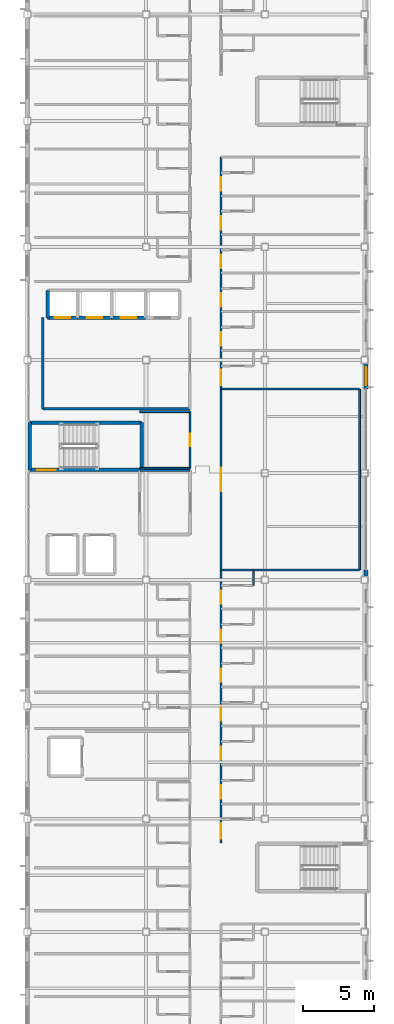
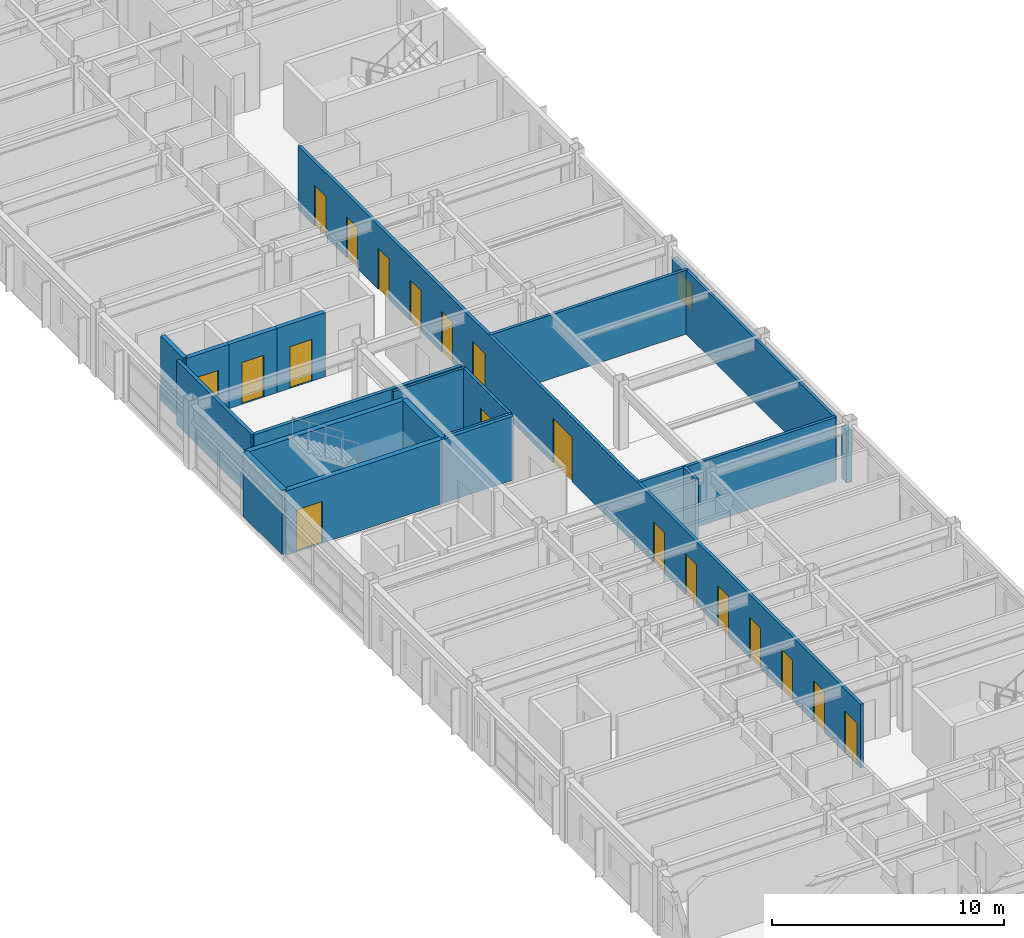
# One storey, part 27 of 35: 21 walls, 19 doors, 1 window, 20 openings.
"""IFC4 building model written with IfcOpenShell, lengths in metres."""

from ifc_helpers import new_model, si_unit, direction, frame, frame_2d, origin, place, context, subcontext, project, spatial, rectangle, extrude, material, layer, layer_set, type_object, element, fill, save


model = new_model("IFC4")

# Units and contexts
model_context = context("Model", 3, precision=1e-05, world=origin(), true_north=direction((0.0, 1.0)))
body_context = subcontext(model_context, "Body", "Model", "MODEL_VIEW")
ifc_project = project(units=[si_unit("LENGTHUNIT", "METRE"), si_unit("AREAUNIT", "SQUARE_METRE"), si_unit("VOLUMEUNIT", "CUBIC_METRE"), si_unit("PLANEANGLEUNIT", "RADIAN"), si_unit("MASSUNIT", "GRAM", prefix="KILO")], contexts=[model_context])

# Site, building, storey
site_placement = place(None, origin())
site = spatial("IfcSite", under=ifc_project, at=site_placement, CompositionType="ELEMENT")
building_placement = place(site_placement, origin())
building = spatial("IfcBuilding", under=site, at=building_placement, Name="Kazehara Bluff Congress Hotel", CompositionType="ELEMENT")
storey_placement = place(building_placement, frame((0.0, 0.0, 35.39990234375)))
storey = spatial("IfcBuildingStorey", under=building, at=storey_placement, Name="L08", CompositionType="ELEMENT", Elevation=35.39990234375)

# Walls
ifc_material_1 = material(Name="Concrete C40/50", Category="concrete")
ifc_layer_1 = layer(ifc_material_1, 0.25)
ifc_layer_set_1 = layer_set([ifc_layer_1], Name="Concrete C40/50")
wall_type_1 = type_object("IfcWallType", Name="TP-CW-RC", PredefinedType="SHEAR", material=ifc_layer_set_1)
for number, where, z_axis, x_axis, name in (
    (1, (143.875, 48.675048828125, 0.0), (0.0, 0.0, 1.0), (0.0, 1.0, 0.0), "L08 ST-11 core wall near"),
    (2, (151.77490234375, 52.02490234375, 0.0), (0.0, 0.0, 1.0), (0.0, -1.0, 0.0), "L08 ST-11 core wall far"),
):
    element("IfcWall", number, at=place(storey_placement, frame(where, z_axis=z_axis, x_axis=x_axis)), inside=storey, type_object=wall_type_1, Name=name, PredefinedType="SHEAR", context=body_context, shape_type="SweptSolid", body=[
        extrude(rectangle(XDim=3.349853515625, YDim=0.25, at=frame_2d((1.6748046875, 0.0))), origin(), (0.0, 0.0, 1.0), 3.380126953125),
    ])

# Wall, opening, door
wall_1_placement = place(storey_placement, frame((151.77490234375, 48.675048828125, 0.0), z_axis=(0.0, 0.0, 1.0), x_axis=(-1.0, 0.0, 0.0)))
wall_1 = element("IfcWall", 3, at=wall_1_placement, inside=storey, type_object=wall_type_1, Name="L08 ST-11 core wall left", PredefinedType="SHEAR", context=body_context, shape_type="SweptSolid", body=[
    extrude(rectangle(XDim=7.89990234375, YDim=0.25, at=frame_2d((3.949951171875, 0.0))), origin(), (0.0, 0.0, 1.0), 3.380126953125),
])
opening_1_placement = place(wall_1_placement, frame((6.074951171875, 0.0, 0.0)))
opening_1 = element("IfcOpeningElement", 4, at=opening_1_placement, cuts=wall_1, Name="Opening FD-01", PredefinedType="OPENING", context=body_context, shape_type="SweptSolid", body=[
    extrude(rectangle(XDim=1.300048828125, YDim=2.199951171875, at=frame_2d((0.64990234375, 1.10009765625))), frame((0.0, 0.135009765625, 0.0), z_axis=(0.0, -1.0, 0.0), x_axis=(1.0, 0.0, 0.0)), (0.0, 0.0, 1.0), 0.27001953125),
])
ifc_material_2 = material(Name="Fire-rated painted steel leaf", Category="steel")
door_type_1 = type_object("IfcDoorType", Name="TP-FD-01", OperationType="NOTDEFINED", PredefinedType="DOOR", material=ifc_material_2)
door_1_placement = place(opening_1_placement, origin())
door_1 = element("IfcDoor", 5, at=door_1_placement, inside=storey, type_object=door_type_1, Name="L08 ST-11 fire stair door", OperationType="SINGLE_SWING_LEFT", OverallHeight=2.199951171875, OverallWidth=1.300048828125, PredefinedType="DOOR", context=body_context, shape_type="SweptSolid", body=[
    extrude(rectangle(XDim=1.300048828125, YDim=2.199951171875, at=frame_2d((0.64990234375, 1.10009765625))), frame((0.0, 0.02490234375, 0.0), z_axis=(0.0, -1.0, 0.0), x_axis=(1.0, 0.0, 0.0)), (0.0, 0.0, 1.0), 0.050048828125),
])
fill(opening_1, door_1)

# Walls
wall_2_placement = place(storey_placement, frame((143.875, 52.02490234375, 0.0), z_axis=(0.0, 0.0, 1.0), x_axis=(1.0, 0.0, 0.0)))
element("IfcWall", 6, at=wall_2_placement, inside=storey, type_object=wall_type_1, Name="L08 ST-11 core wall right", PredefinedType="SHEAR", context=body_context, shape_type="SweptSolid", body=[
    extrude(rectangle(XDim=7.89990234375, YDim=0.25, at=frame_2d((3.949951171875, 0.0))), origin(), (0.0, 0.0, 1.0), 3.380126953125),
])
ifc_material_3 = material(Name="Precast concrete C40/50", Category="concrete")
ifc_layer_2 = layer(ifc_material_3, 0.260009765625)
ifc_layer_set_2 = layer_set([ifc_layer_2], Name="Precast concrete C40/50")
wall_type_2 = type_object("IfcWallType", Name="TP-EW-260", PredefinedType="SOLIDWALL", material=ifc_layer_set_2)
wall_3_placement = place(storey_placement, frame((167.64990234375, 41.60009765625, 0.0), z_axis=(0.0, 0.0, 1.0), x_axis=(0.0, -1.0, 0.0)))
element("IfcWall", 7, at=wall_3_placement, inside=storey, type_object=wall_type_2, Name="L08 hotel facade panel 113", PredefinedType="SOLIDWALL", context=body_context, shape_type="SweptSolid", body=[
    extrude(rectangle(XDim=0.4501953125, YDim=0.260009765625, at=frame_2d((0.22509765625, 0.0))), origin(), (0.0, 0.0, 1.0), 2.755126953125),
])

# Wall, opening, window
wall_4_placement = place(storey_placement, frame((167.64990234375, 56.199951171875, 0.0), z_axis=(0.0, 0.0, 1.0), x_axis=(0.0, -1.0, 0.0)))
wall_4 = element("IfcWall", 8, at=wall_4_placement, inside=storey, type_object=wall_type_2, Name="L08 hotel facade panel 114", PredefinedType="SOLIDWALL", context=body_context, shape_type="SweptSolid", body=[
    extrude(rectangle(XDim=1.800048828125, YDim=0.260009765625, at=frame_2d((0.89990234375, 0.0))), origin(), (0.0, 0.0, 1.0), 2.755126953125),
])
opening_2_placement = place(wall_4_placement, frame((0.27490234375, 0.0, 0.85009765625)))
opening_2 = element("IfcOpeningElement", 9, at=opening_2_placement, cuts=wall_4, Name="Opening WN-06", PredefinedType="OPENING", context=body_context, shape_type="SweptSolid", body=[
    extrude(rectangle(XDim=1.25, YDim=1.35009765625, at=frame_2d((0.625, 0.675048828125))), frame((0.0, 0.139892578125, 0.0), z_axis=(0.0, -1.0, 0.0), x_axis=(1.0, 0.0, 0.0)), (0.0, 0.0, 1.0), 0.280029296875),
])
ifc_material_4 = material(Name="Insulated low-E double glazing", Category="glass")
window_type = type_object("IfcWindowType", Name="TP-WN-06", PartitioningType="SINGLE_PANEL", PredefinedType="WINDOW", material=ifc_material_4)
window_placement = place(opening_2_placement, origin())
window = element("IfcWindow", 10, at=window_placement, inside=storey, type_object=window_type, Name="L08 guestroom window WN-06 219", OverallHeight=1.35009765625, OverallWidth=1.25, PartitioningType="SINGLE_PANEL", PredefinedType="WINDOW", context=body_context, shape_type="SweptSolid", body=[
    extrude(rectangle(XDim=1.25, YDim=1.35009765625, at=frame_2d((0.625, 0.675048828125))), frame((0.0, 0.030029296875, 0.0), z_axis=(0.0, -1.0, 0.0), x_axis=(1.0, 0.0, 0.0)), (0.0, 0.0, 1.0), 0.06005859375),
])
fill(opening_2, window)

# Walls
ifc_material_5 = material(Name="Concrete C40/50", Category="concrete")
ifc_layer_3 = layer(ifc_material_5, 0.199951171875)
ifc_layer_set_3 = layer_set([ifc_layer_3], Name="Concrete C40/50")
wall_type_3 = type_object("IfcWallType", Name="TP-FW-RC", PredefinedType="SOLIDWALL", material=ifc_layer_set_3)
wall_5_placement = place(storey_placement, frame((151.64990234375, 48.64990234375, 0.0), z_axis=(0.0, 0.0, 1.0), x_axis=(1.0, 0.0, 0.0)))
element("IfcWall", 11, at=wall_5_placement, inside=storey, type_object=wall_type_3, Name="L08 partition FW-RC 1056", PredefinedType="SOLIDWALL", context=body_context, shape_type="SweptSolid", body=[
    extrude(rectangle(XDim=3.550048828125, YDim=0.199951171875, at=frame_2d((1.77490234375, 0.0))), origin(), (0.0, 0.0, 1.0), 3.364990234375),
])
ifc_material_6 = material(Name="Fire-rated gypsum board stud partition")
ifc_layer_4 = layer(ifc_material_6, 0.1298828125)
ifc_layer_set_4 = layer_set([ifc_layer_4], Name="Fire-rated gypsum board stud partition")
wall_type_4 = type_object("IfcWallType", Name="TP-PT-130", PredefinedType="PARTITIONING", material=ifc_layer_set_4)
for number, where, z_axis, x_axis, name in (
    (12, (151.64990234375, 48.800048828125, 0.0), (0.0, 0.0, 1.0), (1.0, 0.0, 0.0), "L08 partition PT-130 1057"),
    (13, (151.64990234375, 52.800048828125, 0.0), (0.0, 0.0, 1.0), (1.0, 0.0, 0.0), "L08 partition PT-130 1058"),
):
    element("IfcWall", number, at=place(storey_placement, frame(where, z_axis=z_axis, x_axis=x_axis)), inside=storey, type_object=wall_type_4, Name=name, PredefinedType="PARTITIONING", context=body_context, shape_type="SweptSolid", body=[
        extrude(rectangle(XDim=3.550048828125, YDim=0.1298828125, at=frame_2d((1.77490234375, 0.0))), origin(), (0.0, 0.0, 1.0), 3.364990234375),
    ])

# Wall, opening, door
wall_6_placement = place(storey_placement, frame((155.199951171875, 48.800048828125, 0.0), z_axis=(0.0, 0.0, 1.0), x_axis=(0.0, 1.0, 0.0)))
wall_6 = element("IfcWall", 14, at=wall_6_placement, inside=storey, type_object=wall_type_4, Name="L08 partition PT-130 1136", PredefinedType="PARTITIONING", context=body_context, shape_type="SweptSolid", body=[
    extrude(rectangle(XDim=4.0, YDim=0.1298828125, at=frame_2d((2.0, 0.0))), origin(), (0.0, 0.0, 1.0), 3.364990234375),
])
opening_3_placement = place(wall_6_placement, frame((1.550048828125, 0.0, 0.0)))
opening_3 = element("IfcOpeningElement", 15, at=opening_3_placement, cuts=wall_6, Name="Opening ID-01", PredefinedType="OPENING", context=body_context, shape_type="SweptSolid", body=[
    extrude(rectangle(XDim=0.89990234375, YDim=2.14990234375, at=frame_2d((0.449951171875, 1.074951171875))), frame((0.0, 0.074951171875, 0.0), z_axis=(0.0, -1.0, 0.0), x_axis=(1.0, 0.0, 0.0)), (0.0, 0.0, 1.0), 0.14990234375),
])
ifc_material_7 = material(Name="Architectural oak veneer leaf")
door_type_2 = type_object("IfcDoorType", Name="TP-ID-01", OperationType="NOTDEFINED", PredefinedType="DOOR", material=ifc_material_7)
door_2_placement = place(opening_3_placement, origin())
door_2 = element("IfcDoor", 16, at=door_2_placement, inside=storey, type_object=door_type_2, Name="L08 L08 Housekeeping and Linen Room door", OperationType="SINGLE_SWING_LEFT", OverallHeight=2.14990234375, OverallWidth=0.89990234375, PredefinedType="DOOR", context=body_context, shape_type="SweptSolid", body=[
    extrude(rectangle(XDim=0.89990234375, YDim=2.14990234375, at=frame_2d((0.449951171875, 1.074951171875))), frame((0.0, 0.02490234375, 0.0), z_axis=(0.0, -1.0, 0.0), x_axis=(1.0, 0.0, 0.0)), (0.0, 0.0, 1.0), 0.050048828125),
])
fill(opening_3, door_2)

# Walls
wall_7_placement = place(storey_placement, frame((167.199951171875, 41.60009765625, 0.0), z_axis=(0.0, 0.0, 1.0), x_axis=(0.0, 1.0, 0.0)))
element("IfcWall", 17, at=wall_7_placement, inside=storey, type_object=wall_type_4, Name="L08 partition PT-130 1165", PredefinedType="PARTITIONING", context=body_context, shape_type="SweptSolid", body=[
    extrude(rectangle(XDim=12.7998046875, YDim=0.1298828125, at=frame_2d((6.39990234375, 0.0))), origin(), (0.0, 0.0, 1.0), 3.364990234375),
])
ifc_material_8 = material(Name="Fire-rated gypsum board stud partition")
ifc_layer_5 = layer(ifc_material_8, 0.14990234375)
ifc_layer_set_5 = layer_set([ifc_layer_5], Name="Fire-rated gypsum board stud partition")
wall_type_5 = type_object("IfcWallType", Name="TP-PT-150", PredefinedType="PARTITIONING", material=ifc_layer_set_5)
for number, where, z_axis, x_axis, name in (
    (18, (157.39990234375, 41.60009765625, 0.0), (0.0, 0.0, 1.0), (1.0, 0.0, 0.0), "L08 partition PT-150 1054"),
    (19, (157.39990234375, 54.39990234375, 0.0), (0.0, 0.0, 1.0), (1.0, 0.0, 0.0), "L08 partition PT-150 1060"),
):
    element("IfcWall", number, at=place(storey_placement, frame(where, z_axis=z_axis, x_axis=x_axis)), inside=storey, type_object=wall_type_5, Name=name, PredefinedType="PARTITIONING", context=body_context, shape_type="SweptSolid", body=[
        extrude(rectangle(XDim=9.800048828125, YDim=0.14990234375, at=frame_2d((4.89990234375, 0.0))), origin(), (0.0, 0.0, 1.0), 3.364990234375),
    ])

# Wall, openings, doors
wall_8_placement = place(storey_placement, frame((157.39990234375, 22.300048828125, 0.0), z_axis=(0.0, 0.0, 1.0), x_axis=(0.0, 1.0, 0.0)))
wall_8 = element("IfcWall", 20, at=wall_8_placement, inside=storey, type_object=wall_type_5, Name="L08 partition PT-150 1140", PredefinedType="PARTITIONING", context=body_context, shape_type="SweptSolid", body=[
    extrude(rectangle(XDim=48.5, YDim=0.14990234375, at=frame_2d((24.25, 0.0))), origin(), (0.0, 0.0, 1.0), 3.364990234375),
])
opening_4_placement = place(wall_8_placement, frame((24.875, 0.0, 0.0)))
opening_4 = element("IfcOpeningElement", 21, at=opening_4_placement, cuts=wall_8, Name="Opening AD-04", PredefinedType="OPENING", context=body_context, shape_type="SweptSolid", body=[
    extrude(rectangle(XDim=1.64990234375, YDim=2.35009765625, at=frame_2d((0.824951171875, 1.175048828125))), frame((0.0, 0.0849609375, 0.0), z_axis=(0.0, -1.0, 0.0), x_axis=(1.0, 0.0, 0.0)), (0.0, 0.0, 1.0), 0.169921875),
])
opening_5_placement = place(wall_8_placement, frame((0.27490234375, 0.0, 0.0)))
opening_5 = element("IfcOpeningElement", 22, at=opening_5_placement, cuts=wall_8, Name="Opening GD-02", PredefinedType="OPENING", context=body_context, shape_type="SweptSolid", body=[
    extrude(rectangle(XDim=1.10009765625, YDim=2.199951171875, at=frame_2d((0.550048828125, 1.10009765625))), frame((0.0, 0.0849609375, 0.0), z_axis=(0.0, -1.0, 0.0), x_axis=(1.0, 0.0, 0.0)), (0.0, 0.0, 1.0), 0.169921875),
])
opening_6_placement = place(wall_8_placement, frame((3.110107421875, 0.0, 0.0)))
opening_6 = element("IfcOpeningElement", 23, at=opening_6_placement, cuts=wall_8, Name="Opening GD-01", PredefinedType="OPENING", context=body_context, shape_type="SweptSolid", body=[
    extrude(rectangle(XDim=0.949951171875, YDim=2.14990234375, at=frame_2d((0.47509765625, 1.074951171875))), frame((0.0, 0.0849609375, 0.0), z_axis=(0.0, -1.0, 0.0), x_axis=(1.0, 0.0, 0.0)), (0.0, 0.0, 1.0), 0.169921875),
])
opening_7_placement = place(wall_8_placement, frame((5.864990234375, 0.0, 0.0)))
opening_7 = element("IfcOpeningElement", 24, at=opening_7_placement, cuts=wall_8, Name="Opening GD-01", PredefinedType="OPENING", context=body_context, shape_type="SweptSolid", body=[
    extrude(rectangle(XDim=0.949951171875, YDim=2.14990234375, at=frame_2d((0.47509765625, 1.074951171875))), frame((0.0, 0.0849609375, 0.0), z_axis=(0.0, -1.0, 0.0), x_axis=(1.0, 0.0, 0.0)), (0.0, 0.0, 1.0), 0.169921875),
])
opening_8_placement = place(wall_8_placement, frame((8.625, 0.0, 0.0)))
opening_8 = element("IfcOpeningElement", 25, at=opening_8_placement, cuts=wall_8, Name="Opening GD-01", PredefinedType="OPENING", context=body_context, shape_type="SweptSolid", body=[
    extrude(rectangle(XDim=0.949951171875, YDim=2.14990234375, at=frame_2d((0.47509765625, 1.074951171875))), frame((0.0, 0.0849609375, 0.0), z_axis=(0.0, -1.0, 0.0), x_axis=(1.0, 0.0, 0.0)), (0.0, 0.0, 1.0), 0.169921875),
])
opening_9_placement = place(wall_8_placement, frame((11.3798828125, 0.0, 0.0)))
opening_9 = element("IfcOpeningElement", 26, at=opening_9_placement, cuts=wall_8, Name="Opening GD-01", PredefinedType="OPENING", context=body_context, shape_type="SweptSolid", body=[
    extrude(rectangle(XDim=0.949951171875, YDim=2.14990234375, at=frame_2d((0.47509765625, 1.074951171875))), frame((0.0, 0.0849609375, 0.0), z_axis=(0.0, -1.0, 0.0), x_axis=(1.0, 0.0, 0.0)), (0.0, 0.0, 1.0), 0.169921875),
])
opening_10_placement = place(wall_8_placement, frame((14.139892578125, 0.0, 0.0)))
opening_10 = element("IfcOpeningElement", 27, at=opening_10_placement, cuts=wall_8, Name="Opening GD-01", PredefinedType="OPENING", context=body_context, shape_type="SweptSolid", body=[
    extrude(rectangle(XDim=0.949951171875, YDim=2.14990234375, at=frame_2d((0.47509765625, 1.074951171875))), frame((0.0, 0.0849609375, 0.0), z_axis=(0.0, -1.0, 0.0), x_axis=(1.0, 0.0, 0.0)), (0.0, 0.0, 1.0), 0.169921875),
])
opening_11_placement = place(wall_8_placement, frame((16.89501953125, 0.0, 0.0)))
opening_11 = element("IfcOpeningElement", 28, at=opening_11_placement, cuts=wall_8, Name="Opening GD-01", PredefinedType="OPENING", context=body_context, shape_type="SweptSolid", body=[
    extrude(rectangle(XDim=0.949951171875, YDim=2.14990234375, at=frame_2d((0.47509765625, 1.074951171875))), frame((0.0, 0.0849609375, 0.0), z_axis=(0.0, -1.0, 0.0), x_axis=(1.0, 0.0, 0.0)), (0.0, 0.0, 1.0), 0.169921875),
])
opening_12_placement = place(wall_8_placement, frame((32.3701171875, 0.0, 0.0)))
opening_12 = element("IfcOpeningElement", 29, at=opening_12_placement, cuts=wall_8, Name="Opening GD-02", PredefinedType="OPENING", context=body_context, shape_type="SweptSolid", body=[
    extrude(rectangle(XDim=1.10009765625, YDim=2.199951171875, at=frame_2d((0.550048828125, 1.10009765625))), frame((0.0, 0.0849609375, 0.0), z_axis=(0.0, -1.0, 0.0), x_axis=(1.0, 0.0, 0.0)), (0.0, 0.0, 1.0), 0.169921875),
])
opening_13_placement = place(wall_8_placement, frame((35.175048828125, 0.0, 0.0)))
opening_13 = element("IfcOpeningElement", 30, at=opening_13_placement, cuts=wall_8, Name="Opening GD-01", PredefinedType="OPENING", context=body_context, shape_type="SweptSolid", body=[
    extrude(rectangle(XDim=0.949951171875, YDim=2.14990234375, at=frame_2d((0.47509765625, 1.074951171875))), frame((0.0, 0.0849609375, 0.0), z_axis=(0.0, -1.0, 0.0), x_axis=(1.0, 0.0, 0.0)), (0.0, 0.0, 1.0), 0.169921875),
])
opening_14_placement = place(wall_8_placement, frame((37.909912109375, 0.0, 0.0)))
opening_14 = element("IfcOpeningElement", 31, at=opening_14_placement, cuts=wall_8, Name="Opening GD-01", PredefinedType="OPENING", context=body_context, shape_type="SweptSolid", body=[
    extrude(rectangle(XDim=0.949951171875, YDim=2.14990234375, at=frame_2d((0.47509765625, 1.074951171875))), frame((0.0, 0.0849609375, 0.0), z_axis=(0.0, -1.0, 0.0), x_axis=(1.0, 0.0, 0.0)), (0.0, 0.0, 1.0), 0.169921875),
])
opening_15_placement = place(wall_8_placement, frame((40.639892578125, 0.0, 0.0)))
opening_15 = element("IfcOpeningElement", 32, at=opening_15_placement, cuts=wall_8, Name="Opening GD-01", PredefinedType="OPENING", context=body_context, shape_type="SweptSolid", body=[
    extrude(rectangle(XDim=0.949951171875, YDim=2.14990234375, at=frame_2d((0.47509765625, 1.074951171875))), frame((0.0, 0.0849609375, 0.0), z_axis=(0.0, -1.0, 0.0), x_axis=(1.0, 0.0, 0.0)), (0.0, 0.0, 1.0), 0.169921875),
])
opening_16_placement = place(wall_8_placement, frame((43.375, 0.0, 0.0)))
opening_16 = element("IfcOpeningElement", 33, at=opening_16_placement, cuts=wall_8, Name="Opening GD-01", PredefinedType="OPENING", context=body_context, shape_type="SweptSolid", body=[
    extrude(rectangle(XDim=0.949951171875, YDim=2.14990234375, at=frame_2d((0.47509765625, 1.074951171875))), frame((0.0, 0.0849609375, 0.0), z_axis=(0.0, -1.0, 0.0), x_axis=(1.0, 0.0, 0.0)), (0.0, 0.0, 1.0), 0.169921875),
])
opening_17_placement = place(wall_8_placement, frame((46.110107421875, 0.0, 0.0)))
opening_17 = element("IfcOpeningElement", 34, at=opening_17_placement, cuts=wall_8, Name="Opening GD-01", PredefinedType="OPENING", context=body_context, shape_type="SweptSolid", body=[
    extrude(rectangle(XDim=0.949951171875, YDim=2.14990234375, at=frame_2d((0.47509765625, 1.074951171875))), frame((0.0, 0.0849609375, 0.0), z_axis=(0.0, -1.0, 0.0), x_axis=(1.0, 0.0, 0.0)), (0.0, 0.0, 1.0), 0.169921875),
])
ifc_material_9 = material(Name="Architectural oak veneer leaf")
door_type_3 = type_object("IfcDoorType", Name="TP-AD-04", OperationType="DOUBLE_DOOR_SINGLE_SWING", PredefinedType="DOOR", material=ifc_material_9)
door_3_placement = place(opening_4_placement, origin())
door_3 = element("IfcDoor", 35, at=door_3_placement, inside=storey, type_object=door_type_3, Name="L08 East Plateau Executive Salon door", OperationType="DOUBLE_DOOR_SINGLE_SWING", OverallHeight=2.35009765625, OverallWidth=1.64990234375, PredefinedType="DOOR", context=body_context, shape_type="SweptSolid", body=[
    extrude(rectangle(XDim=1.64990234375, YDim=2.35009765625, at=frame_2d((0.824951171875, 1.175048828125))), frame((0.0, 0.02490234375, 0.0), z_axis=(0.0, -1.0, 0.0), x_axis=(1.0, 0.0, 0.0)), (0.0, 0.0, 1.0), 0.050048828125),
])
fill(opening_4, door_3)
ifc_material_10 = material(Name="Architectural oak veneer leaf")
door_type_4 = type_object("IfcDoorType", Name="TP-GD-01", OperationType="NOTDEFINED", PredefinedType="DOOR", material=ifc_material_10)
door_4_placement = place(opening_6_placement, origin())
door_4 = element("IfcDoor", 36, at=door_4_placement, inside=storey, type_object=door_type_4, Name="L08 Deluxe Twin Guest Room 234 door", OperationType="SINGLE_SWING_RIGHT", OverallHeight=2.14990234375, OverallWidth=0.949951171875, PredefinedType="DOOR", context=body_context, shape_type="SweptSolid", body=[
    extrude(rectangle(XDim=0.949951171875, YDim=2.14990234375, at=frame_2d((0.47509765625, 1.074951171875))), frame((0.0, 0.02490234375, 0.0), z_axis=(0.0, -1.0, 0.0), x_axis=(1.0, 0.0, 0.0)), (0.0, 0.0, 1.0), 0.050048828125),
])
fill(opening_6, door_4)
door_5_placement = place(opening_7_placement, origin())
door_5 = element("IfcDoor", 37, at=door_5_placement, inside=storey, type_object=door_type_4, Name="L08 Standard King Guest Room 235 door", OperationType="SINGLE_SWING_RIGHT", OverallHeight=2.14990234375, OverallWidth=0.949951171875, PredefinedType="DOOR", context=body_context, shape_type="SweptSolid", body=[
    extrude(rectangle(XDim=0.949951171875, YDim=2.14990234375, at=frame_2d((0.47509765625, 1.074951171875))), frame((0.0, 0.02490234375, 0.0), z_axis=(0.0, -1.0, 0.0), x_axis=(1.0, 0.0, 0.0)), (0.0, 0.0, 1.0), 0.050048828125),
])
fill(opening_7, door_5)
door_6_placement = place(opening_8_placement, origin())
door_6 = element("IfcDoor", 38, at=door_6_placement, inside=storey, type_object=door_type_4, Name="L08 Deluxe Twin Guest Room 236 door", OperationType="SINGLE_SWING_RIGHT", OverallHeight=2.14990234375, OverallWidth=0.949951171875, PredefinedType="DOOR", context=body_context, shape_type="SweptSolid", body=[
    extrude(rectangle(XDim=0.949951171875, YDim=2.14990234375, at=frame_2d((0.47509765625, 1.074951171875))), frame((0.0, 0.02490234375, 0.0), z_axis=(0.0, -1.0, 0.0), x_axis=(1.0, 0.0, 0.0)), (0.0, 0.0, 1.0), 0.050048828125),
])
fill(opening_8, door_6)
door_7_placement = place(opening_9_placement, origin())
door_7 = element("IfcDoor", 39, at=door_7_placement, inside=storey, type_object=door_type_4, Name="L08 Standard King Guest Room 237 door", OperationType="SINGLE_SWING_RIGHT", OverallHeight=2.14990234375, OverallWidth=0.949951171875, PredefinedType="DOOR", context=body_context, shape_type="SweptSolid", body=[
    extrude(rectangle(XDim=0.949951171875, YDim=2.14990234375, at=frame_2d((0.47509765625, 1.074951171875))), frame((0.0, 0.02490234375, 0.0), z_axis=(0.0, -1.0, 0.0), x_axis=(1.0, 0.0, 0.0)), (0.0, 0.0, 1.0), 0.050048828125),
])
fill(opening_9, door_7)
door_8_placement = place(opening_10_placement, origin())
door_8 = element("IfcDoor", 40, at=door_8_placement, inside=storey, type_object=door_type_4, Name="L08 Deluxe Twin Guest Room 238 door", OperationType="SINGLE_SWING_RIGHT", OverallHeight=2.14990234375, OverallWidth=0.949951171875, PredefinedType="DOOR", context=body_context, shape_type="SweptSolid", body=[
    extrude(rectangle(XDim=0.949951171875, YDim=2.14990234375, at=frame_2d((0.47509765625, 1.074951171875))), frame((0.0, 0.02490234375, 0.0), z_axis=(0.0, -1.0, 0.0), x_axis=(1.0, 0.0, 0.0)), (0.0, 0.0, 1.0), 0.050048828125),
])
fill(opening_10, door_8)
door_9_placement = place(opening_11_placement, origin())
door_9 = element("IfcDoor", 41, at=door_9_placement, inside=storey, type_object=door_type_4, Name="L08 Standard King Guest Room 239 door", OperationType="SINGLE_SWING_RIGHT", OverallHeight=2.14990234375, OverallWidth=0.949951171875, PredefinedType="DOOR", context=body_context, shape_type="SweptSolid", body=[
    extrude(rectangle(XDim=0.949951171875, YDim=2.14990234375, at=frame_2d((0.47509765625, 1.074951171875))), frame((0.0, 0.02490234375, 0.0), z_axis=(0.0, -1.0, 0.0), x_axis=(1.0, 0.0, 0.0)), (0.0, 0.0, 1.0), 0.050048828125),
])
fill(opening_11, door_9)
door_10_placement = place(opening_13_placement, origin())
door_10 = element("IfcDoor", 42, at=door_10_placement, inside=storey, type_object=door_type_4, Name="L08 Standard King Guest Room 241 door", OperationType="SINGLE_SWING_RIGHT", OverallHeight=2.14990234375, OverallWidth=0.949951171875, PredefinedType="DOOR", context=body_context, shape_type="SweptSolid", body=[
    extrude(rectangle(XDim=0.949951171875, YDim=2.14990234375, at=frame_2d((0.47509765625, 1.074951171875))), frame((0.0, 0.02490234375, 0.0), z_axis=(0.0, -1.0, 0.0), x_axis=(1.0, 0.0, 0.0)), (0.0, 0.0, 1.0), 0.050048828125),
])
fill(opening_13, door_10)
door_11_placement = place(opening_14_placement, origin())
door_11 = element("IfcDoor", 43, at=door_11_placement, inside=storey, type_object=door_type_4, Name="L08 Deluxe Twin Guest Room 242 door", OperationType="SINGLE_SWING_RIGHT", OverallHeight=2.14990234375, OverallWidth=0.949951171875, PredefinedType="DOOR", context=body_context, shape_type="SweptSolid", body=[
    extrude(rectangle(XDim=0.949951171875, YDim=2.14990234375, at=frame_2d((0.47509765625, 1.074951171875))), frame((0.0, 0.02490234375, 0.0), z_axis=(0.0, -1.0, 0.0), x_axis=(1.0, 0.0, 0.0)), (0.0, 0.0, 1.0), 0.050048828125),
])
fill(opening_14, door_11)
door_12_placement = place(opening_15_placement, origin())
door_12 = element("IfcDoor", 44, at=door_12_placement, inside=storey, type_object=door_type_4, Name="L08 Standard King Guest Room 243 door", OperationType="SINGLE_SWING_RIGHT", OverallHeight=2.14990234375, OverallWidth=0.949951171875, PredefinedType="DOOR", context=body_context, shape_type="SweptSolid", body=[
    extrude(rectangle(XDim=0.949951171875, YDim=2.14990234375, at=frame_2d((0.47509765625, 1.074951171875))), frame((0.0, 0.02490234375, 0.0), z_axis=(0.0, -1.0, 0.0), x_axis=(1.0, 0.0, 0.0)), (0.0, 0.0, 1.0), 0.050048828125),
])
fill(opening_15, door_12)
door_13_placement = place(opening_16_placement, origin())
door_13 = element("IfcDoor", 45, at=door_13_placement, inside=storey, type_object=door_type_4, Name="L08 Deluxe Twin Guest Room 244 door", OperationType="SINGLE_SWING_RIGHT", OverallHeight=2.14990234375, OverallWidth=0.949951171875, PredefinedType="DOOR", context=body_context, shape_type="SweptSolid", body=[
    extrude(rectangle(XDim=0.949951171875, YDim=2.14990234375, at=frame_2d((0.47509765625, 1.074951171875))), frame((0.0, 0.02490234375, 0.0), z_axis=(0.0, -1.0, 0.0), x_axis=(1.0, 0.0, 0.0)), (0.0, 0.0, 1.0), 0.050048828125),
])
fill(opening_16, door_13)
door_14_placement = place(opening_17_placement, origin())
door_14 = element("IfcDoor", 46, at=door_14_placement, inside=storey, type_object=door_type_4, Name="L08 Standard King Guest Room 245 door", OperationType="SINGLE_SWING_RIGHT", OverallHeight=2.14990234375, OverallWidth=0.949951171875, PredefinedType="DOOR", context=body_context, shape_type="SweptSolid", body=[
    extrude(rectangle(XDim=0.949951171875, YDim=2.14990234375, at=frame_2d((0.47509765625, 1.074951171875))), frame((0.0, 0.02490234375, 0.0), z_axis=(0.0, -1.0, 0.0), x_axis=(1.0, 0.0, 0.0)), (0.0, 0.0, 1.0), 0.050048828125),
])
fill(opening_17, door_14)
ifc_material_11 = material(Name="Architectural oak veneer leaf")
door_type_5 = type_object("IfcDoorType", Name="TP-GD-02", OperationType="NOTDEFINED", PredefinedType="DOOR", material=ifc_material_11)
door_15_placement = place(opening_5_placement, origin())
door_15 = element("IfcDoor", 47, at=door_15_placement, inside=storey, type_object=door_type_5, Name="L08 Executive Suite 233 door", OperationType="SINGLE_SWING_RIGHT", OverallHeight=2.199951171875, OverallWidth=1.10009765625, PredefinedType="DOOR", context=body_context, shape_type="SweptSolid", body=[
    extrude(rectangle(XDim=1.10009765625, YDim=2.199951171875, at=frame_2d((0.550048828125, 1.10009765625))), frame((0.0, 0.02490234375, 0.0), z_axis=(0.0, -1.0, 0.0), x_axis=(1.0, 0.0, 0.0)), (0.0, 0.0, 1.0), 0.050048828125),
])
fill(opening_5, door_15)
door_16_placement = place(opening_12_placement, origin())
door_16 = element("IfcDoor", 48, at=door_16_placement, inside=storey, type_object=door_type_5, Name="L08 Executive Suite 240 door", OperationType="SINGLE_SWING_RIGHT", OverallHeight=2.199951171875, OverallWidth=1.10009765625, PredefinedType="DOOR", context=body_context, shape_type="SweptSolid", body=[
    extrude(rectangle(XDim=1.10009765625, YDim=2.199951171875, at=frame_2d((0.550048828125, 1.10009765625))), frame((0.0, 0.02490234375, 0.0), z_axis=(0.0, -1.0, 0.0), x_axis=(1.0, 0.0, 0.0)), (0.0, 0.0, 1.0), 0.050048828125),
])
fill(opening_12, door_16)

# Walls
wall_9_placement = place(storey_placement, frame((159.699951171875, 40.5, 0.0), z_axis=(0.0, 0.0, 1.0), x_axis=(0.0, 1.0, 0.0)))
element("IfcWall", 49, at=wall_9_placement, inside=storey, type_object=wall_type_5, Name="L08 partition PT-150 1151", PredefinedType="PARTITIONING", context=body_context, shape_type="SweptSolid", body=[
    extrude(rectangle(XDim=1.10009765625, YDim=0.14990234375, at=frame_2d((0.550048828125, 0.0))), origin(), (0.0, 0.0, 1.0), 3.364990234375),
])
ifc_material_12 = material(Name="Fire-rated gypsum board stud partition")
ifc_layer_6 = layer(ifc_material_12, 0.169921875)
ifc_layer_set_6 = layer_set([ifc_layer_6], Name="Fire-rated gypsum board stud partition")
wall_type_6 = type_object("IfcWallType", Name="TP-PT-180", PredefinedType="PARTITIONING", material=ifc_layer_set_6)
wall_10_placement = place(storey_placement, frame((144.800048828125, 53.0, 0.0), z_axis=(0.0, 0.0, 1.0), x_axis=(1.0, 0.0, 0.0)))
element("IfcWall", 50, at=wall_10_placement, inside=storey, type_object=wall_type_6, Name="L08 partition PT-180 1059", PredefinedType="PARTITIONING", context=body_context, shape_type="SweptSolid", body=[
    extrude(rectangle(XDim=10.39990234375, YDim=0.169921875, at=frame_2d((5.199951171875, 0.0))), origin(), (0.0, 0.0, 1.0), 3.364990234375),
])
wall_11_placement = place(storey_placement, frame((144.800048828125, 53.0, 0.0), z_axis=(0.0, 0.0, 1.0), x_axis=(0.0, 1.0, 0.0)))
element("IfcWall", 51, at=wall_11_placement, inside=storey, type_object=wall_type_6, Name="L08 partition PT-180 1109", PredefinedType="PARTITIONING", context=body_context, shape_type="SweptSolid", body=[
    extrude(rectangle(XDim=6.449951171875, YDim=0.169921875, at=frame_2d((3.22509765625, 0.0))), origin(), (0.0, 0.0, 1.0), 3.364990234375),
])

# Wall, opening, door
ifc_material_13 = material(Name="Concrete C40/50", Category="concrete")
ifc_layer_7 = layer(ifc_material_13, 0.219970703125)
ifc_layer_set_7 = layer_set([ifc_layer_7], Name="Concrete C40/50")
wall_type_7 = type_object("IfcWallType", Name="TP-SW-RC", PredefinedType="SHEAR", material=ifc_layer_set_7)
wall_12_placement = place(storey_placement, frame((145.139892578125, 59.43994140625, 0.0), z_axis=(0.0, 0.0, 1.0), x_axis=(1.0, 0.0, 0.0)))
wall_12 = element("IfcWall", 52, at=wall_12_placement, inside=storey, type_object=wall_type_7, Name="L08 EL-P1 lift shaft wall -Y", PredefinedType="SHEAR", context=body_context, shape_type="SweptSolid", body=[
    extrude(rectangle(XDim=2.1201171875, YDim=0.219970703125, at=frame_2d((1.06005859375, 0.0))), origin(), (0.0, 0.0, 1.0), 3.380126953125),
])
opening_18_placement = place(wall_12_placement, frame((0.510009765625, 0.0, 0.0)))
opening_18 = element("IfcOpeningElement", 53, at=opening_18_placement, cuts=wall_12, Name="Opening LD-01", PredefinedType="OPENING", context=body_context, shape_type="SweptSolid", body=[
    extrude(rectangle(XDim=1.10009765625, YDim=2.199951171875, at=frame_2d((0.550048828125, 1.10009765625))), frame((0.0, 0.119873046875, 0.0), z_axis=(0.0, -1.0, 0.0), x_axis=(1.0, 0.0, 0.0)), (0.0, 0.0, 1.0), 0.239990234375),
])
ifc_material_14 = material(Name="Fire-rated painted steel leaf", Category="steel")
door_type_6 = type_object("IfcDoorType", Name="TP-LD-01", OperationType="SLIDING_TO_LEFT", PredefinedType="DOOR", material=ifc_material_14)
door_17_placement = place(opening_18_placement, origin())
door_17 = element("IfcDoor", 54, at=door_17_placement, inside=storey, type_object=door_type_6, Name="L08 EL-P1 elevator landing door", OperationType="SLIDING_TO_LEFT", OverallHeight=2.199951171875, OverallWidth=1.10009765625, PredefinedType="DOOR", context=body_context, shape_type="SweptSolid", body=[
    extrude(rectangle(XDim=1.10009765625, YDim=2.199951171875, at=frame_2d((0.550048828125, 1.10009765625))), frame((0.0, 0.02490234375, 0.0), z_axis=(0.0, -1.0, 0.0), x_axis=(1.0, 0.0, 0.0)), (0.0, 0.0, 1.0), 0.050048828125),
])
fill(opening_18, door_17)

# Wall
wall_13_placement = place(storey_placement, frame((145.139892578125, 59.43994140625, 0.0), z_axis=(0.0, 0.0, 1.0), x_axis=(0.0, 1.0, 0.0)))
element("IfcWall", 55, at=wall_13_placement, inside=storey, type_object=wall_type_7, Name="L08 EL-P1 lift shaft wall -X", PredefinedType="SHEAR", context=body_context, shape_type="SweptSolid", body=[
    extrude(rectangle(XDim=1.920166015625, YDim=0.219970703125, at=frame_2d((0.9599609375, 0.0))), origin(), (0.0, 0.0, 1.0), 3.380126953125),
])

# Wall, opening, door
wall_14_placement = place(storey_placement, frame((147.260009765625, 59.43994140625, 0.0), z_axis=(0.0, 0.0, 1.0), x_axis=(1.0, 0.0, 0.0)))
wall_14 = element("IfcWall", 56, at=wall_14_placement, inside=storey, type_object=wall_type_7, Name="L08 EL-P2 lift shaft wall -Y", PredefinedType="SHEAR", context=body_context, shape_type="SweptSolid", body=[
    extrude(rectangle(XDim=2.39990234375, YDim=0.219970703125, at=frame_2d((1.199951171875, 0.0))), origin(), (0.0, 0.0, 1.0), 3.380126953125),
])
opening_19_placement = place(wall_14_placement, frame((0.64990234375, 0.0, 0.0)))
opening_19 = element("IfcOpeningElement", 57, at=opening_19_placement, cuts=wall_14, Name="Opening LD-01", PredefinedType="OPENING", context=body_context, shape_type="SweptSolid", body=[
    extrude(rectangle(XDim=1.10009765625, YDim=2.199951171875, at=frame_2d((0.550048828125, 1.10009765625))), frame((0.0, 0.119873046875, 0.0), z_axis=(0.0, -1.0, 0.0), x_axis=(1.0, 0.0, 0.0)), (0.0, 0.0, 1.0), 0.239990234375),
])
door_18_placement = place(opening_19_placement, origin())
door_18 = element("IfcDoor", 58, at=door_18_placement, inside=storey, type_object=door_type_6, Name="L08 EL-P2 elevator landing door", OperationType="SLIDING_TO_LEFT", OverallHeight=2.199951171875, OverallWidth=1.10009765625, PredefinedType="DOOR", context=body_context, shape_type="SweptSolid", body=[
    extrude(rectangle(XDim=1.10009765625, YDim=2.199951171875, at=frame_2d((0.550048828125, 1.10009765625))), frame((0.0, 0.02490234375, 0.0), z_axis=(0.0, -1.0, 0.0), x_axis=(1.0, 0.0, 0.0)), (0.0, 0.0, 1.0), 0.050048828125),
])
fill(opening_19, door_18)

wall_15_placement = place(storey_placement, frame((149.659912109375, 59.43994140625, 0.0), z_axis=(0.0, 0.0, 1.0), x_axis=(1.0, 0.0, 0.0)))
wall_15 = element("IfcWall", 59, at=wall_15_placement, inside=storey, type_object=wall_type_7, Name="L08 EL-P3 lift shaft wall -Y", PredefinedType="SHEAR", context=body_context, shape_type="SweptSolid", body=[
    extrude(rectangle(XDim=2.400146484375, YDim=0.219970703125, at=frame_2d((1.2001953125, 0.0))), origin(), (0.0, 0.0, 1.0), 3.380126953125),
])
opening_20_placement = place(wall_15_placement, frame((0.64990234375, 0.0, 0.0)))
opening_20 = element("IfcOpeningElement", 60, at=opening_20_placement, cuts=wall_15, Name="Opening LD-01", PredefinedType="OPENING", context=body_context, shape_type="SweptSolid", body=[
    extrude(rectangle(XDim=1.10009765625, YDim=2.199951171875, at=frame_2d((0.550048828125, 1.10009765625))), frame((0.0, 0.119873046875, 0.0), z_axis=(0.0, -1.0, 0.0), x_axis=(1.0, 0.0, 0.0)), (0.0, 0.0, 1.0), 0.239990234375),
])
door_19_placement = place(opening_20_placement, origin())
door_19 = element("IfcDoor", 61, at=door_19_placement, inside=storey, type_object=door_type_6, Name="L08 EL-P3 elevator landing door", OperationType="SLIDING_TO_LEFT", OverallHeight=2.199951171875, OverallWidth=1.10009765625, PredefinedType="DOOR", context=body_context, shape_type="SweptSolid", body=[
    extrude(rectangle(XDim=1.10009765625, YDim=2.199951171875, at=frame_2d((0.550048828125, 1.10009765625))), frame((0.0, 0.02490234375, 0.0), z_axis=(0.0, -1.0, 0.0), x_axis=(1.0, 0.0, 0.0)), (0.0, 0.0, 1.0), 0.050048828125),
])
fill(opening_20, door_19)

save(model, "model.ifc")
